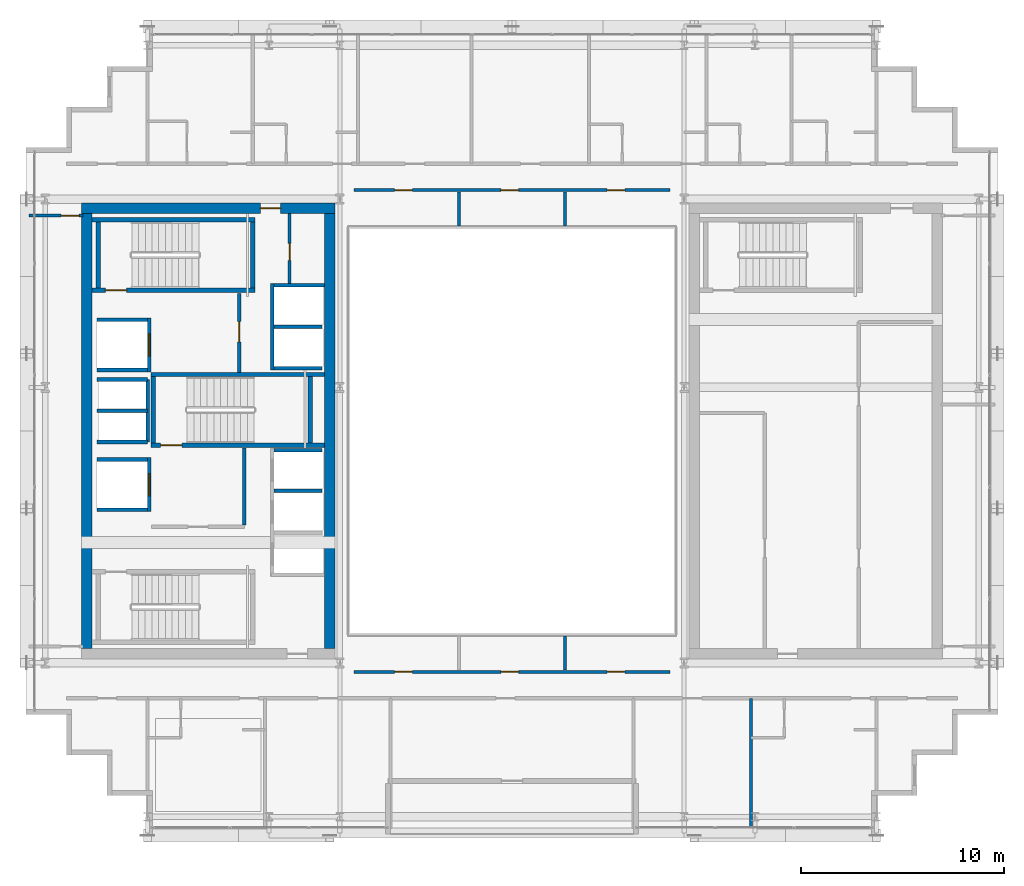
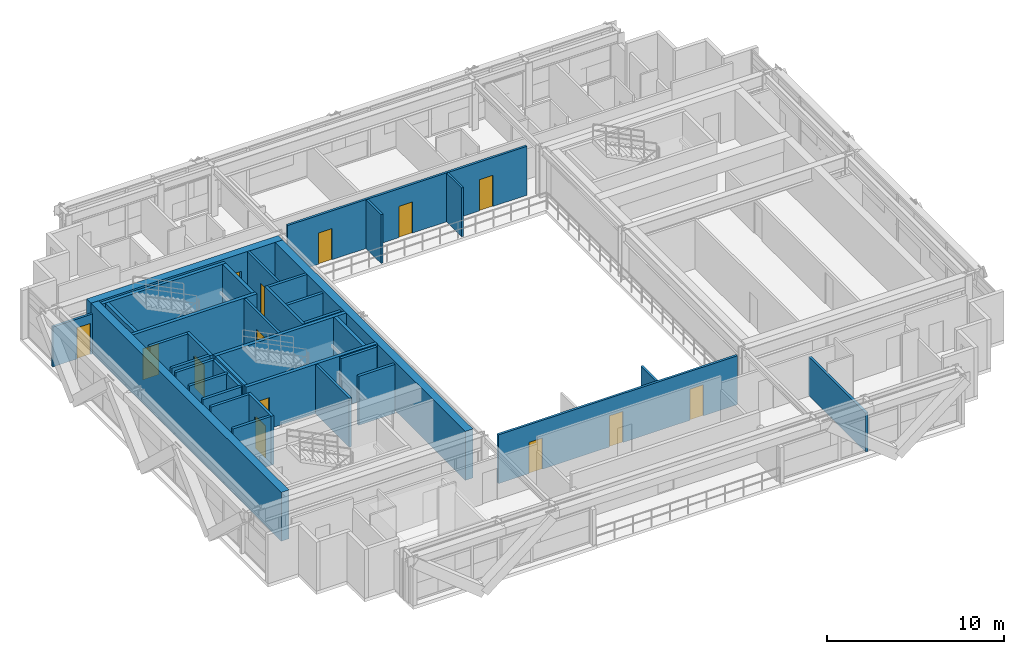
# One storey, part 25 of 32: 37 walls, 14 doors, 14 openings.
"""IFC4 building model written with IfcOpenShell, lengths in metres."""

from ifc_helpers import new_model, si_unit, direction, frame, frame_2d, origin, place, context, subcontext, project, spatial, rectangle, extrude, source, transform, mapped, material, layer, layer_set, type_object, element, fill, save


model = new_model("IFC4")

# Units and contexts
model_context = context("Model", 3, precision=1e-05, world=origin(), true_north=direction((0.0, 1.0)))
body_context = subcontext(model_context, "Body", "Model", "MODEL_VIEW")
ifc_project = project(units=[si_unit("LENGTHUNIT", "METRE"), si_unit("AREAUNIT", "SQUARE_METRE"), si_unit("VOLUMEUNIT", "CUBIC_METRE"), si_unit("PLANEANGLEUNIT", "RADIAN"), si_unit("MASSUNIT", "GRAM", prefix="KILO")], contexts=[model_context])

# Site, building, storey
site_placement = place(None, origin())
site = spatial("IfcSite", under=ifc_project, at=site_placement, CompositionType="ELEMENT")
building_placement = place(site_placement, origin())
building = spatial("IfcBuilding", under=site, at=building_placement, Name="Ocotamira Hotel", CompositionType="ELEMENT")
storey_placement = place(building_placement, frame((0.0, 0.0, 184.800048828125)))
storey = spatial("IfcBuildingStorey", under=building, at=storey_placement, Name="L46", CompositionType="ELEMENT", Elevation=184.800048828125)

# Wall, opening, door
ifc_material_1 = material(Name="Concrete C50/60", Category="concrete")
ifc_layer_1 = layer(ifc_material_1, 0.5)
ifc_layer_set_1 = layer_set([ifc_layer_1], Name="Concrete C50/60")
wall_type_1 = type_object("IfcWallType", Name="WL-CORE-500", PredefinedType="SHEAR", material=ifc_layer_set_1)
wall_1_placement = place(storey_placement, frame((10.75, 37.0, 0.0), z_axis=(0.0, 0.0, 1.0), x_axis=(1.0, 0.0, 0.0)))
wall_1 = element("IfcWall", 1, at=wall_1_placement, inside=storey, type_object=wall_type_1, Name="L46 Shear Core Wall WCORE-N", PredefinedType="SHEAR", context=body_context, shape_type="SweptSolid", body=[
    extrude(rectangle(XDim=12.5, YDim=0.5, at=frame_2d((6.25, 0.0))), origin(), (0.0, 0.0, 1.0), 3.369873046875),
])
opening_1_placement = place(wall_1_placement, frame((8.830078125, 0.0, 0.0)))
opening_1 = element("IfcOpeningElement", 2, at=opening_1_placement, cuts=wall_1, Name="Opening D-FR2", PredefinedType="OPENING", context=body_context, shape_type="SweptSolid", body=[
    extrude(rectangle(XDim=1.0, YDim=2.14990234375, at=frame_2d((0.5, 1.074951171875))), frame((0.0, 0.260009765625, 0.0), z_axis=(0.0, -1.0, 0.0), x_axis=(1.0, 0.0, 0.0)), (0.0, 0.0, 1.0), 0.52001953125),
])
ifc_material_2 = material(Name="Fire-rated acoustic timber-veneer door", Category="wood")
door_type_1 = type_object("IfcDoorType", Name="DR-FIRE-1000", OperationType="NOTDEFINED", PredefinedType="DOOR", material=ifc_material_2)
shared_shape_1 = source(origin(), body_context, "Body", "SweptSolid", [
    extrude(rectangle(XDim=1.0, YDim=2.14990234375, at=frame_2d((0.5, 1.074951171875))), frame((0.0, 0.02490234375, 0.0), z_axis=(0.0, -1.0, 0.0), x_axis=(1.0, 0.0, 0.0)), (0.0, 0.0, 1.0), 0.050048828125),
])
door_1_placement = place(opening_1_placement, origin())
door_1 = element("IfcDoor", 3, at=door_1_placement, inside=storey, type_object=door_type_1, Name="L46 Door ID-L46-WLOB-N-D [ID-L46-WLOB-N-D]", OperationType="SINGLE_SWING_RIGHT", OverallHeight=2.14990234375, OverallWidth=1.0, PredefinedType="DOOR", context=body_context, shape_type="MappedRepresentation", body=[
    mapped(shared_shape_1, transform((0.0, 0.0, 0.0), scale=1.0)),
])
fill(opening_1, door_1)

# Walls
for number, where, z_axis, x_axis, name in (
    (4, (11.0, 15.25, 0.0), (0.0, 0.0, 1.0), (0.0, 1.0, 0.0), "L46 Shear Core Wall WCORE-W"),
    (5, (23.0, 15.25, 0.0), (0.0, 0.0, 1.0), (0.0, 1.0, 0.0), "L46 Shear Core Wall WCORE-E"),
):
    element("IfcWall", number, at=place(storey_placement, frame(where, z_axis=z_axis, x_axis=x_axis)), inside=storey, type_object=wall_type_1, Name=name, PredefinedType="SHEAR", context=body_context, shape_type="SweptSolid", body=[
        extrude(rectangle(XDim=21.5, YDim=0.5, at=frame_2d((10.75, 0.0))), origin(), (0.0, 0.0, 1.0), 3.369873046875),
    ])
ifc_material_3 = material(Name="Acoustic double-layer fire gypsum board partition", Category="gypsum")
ifc_layer_2 = layer(ifc_material_3, 0.159912109375)
ifc_layer_set_2 = layer_set([ifc_layer_2], Name="Acoustic double-layer fire gypsum board partition")
wall_type_2 = type_object("IfcWallType", Name="WL-FIRE-160", PredefinedType="PARTITIONING", material=ifc_layer_set_2)
wall_2_placement = place(storey_placement, frame((18.780029296875, 21.35009765625, 0.0), z_axis=(0.0, 0.0, 1.0), x_axis=(0.0, 1.0, 0.0)))
element("IfcWall", 6, at=wall_2_placement, inside=storey, type_object=wall_type_2, Name="L46 Interior Wall PW-L46-FSAE1-E", PredefinedType="PARTITIONING", context=body_context, shape_type="SweptSolid", body=[
    extrude(rectangle(XDim=3.809814453125, YDim=0.159912109375, at=frame_2d((1.90478515625, 0.0))), origin(), (0.0, 0.0, 1.0), 3.369873046875),
])

# Wall, opening, door
wall_3_placement = place(storey_placement, frame((18.530029296875, 28.89990234375, 0.0), z_axis=(0.0, 0.0, 1.0), x_axis=(0.0, 1.0, 0.0)))
wall_3 = element("IfcWall", 7, at=wall_3_placement, inside=storey, type_object=wall_type_2, Name="L46 Interior Wall PW-L46-FSAE2-E", PredefinedType="PARTITIONING", context=body_context, shape_type="SweptSolid", body=[
    extrude(rectangle(XDim=3.900146484375, YDim=0.159912109375, at=frame_2d((1.9501953125, 0.0))), origin(), (0.0, 0.0, 1.0), 3.369873046875),
])
opening_2_placement = place(wall_3_placement, frame((1.5, 0.0, 0.0)))
opening_2 = element("IfcOpeningElement", 8, at=opening_2_placement, cuts=wall_3, Name="Opening D-FR2", PredefinedType="OPENING", context=body_context, shape_type="SweptSolid", body=[
    extrude(rectangle(XDim=1.0, YDim=2.14990234375, at=frame_2d((0.5, 1.074951171875))), frame((0.0, 0.08984375, 0.0), z_axis=(0.0, -1.0, 0.0), x_axis=(1.0, 0.0, 0.0)), (0.0, 0.0, 1.0), 0.179931640625),
])
door_2_placement = place(opening_2_placement, origin())
door_2 = element("IfcDoor", 9, at=door_2_placement, inside=storey, type_object=door_type_1, Name="L46 Door ID-L46-FSAE2-D [ID-L46-FSAE2-D]", OperationType="SINGLE_SWING_RIGHT", OverallHeight=2.14990234375, OverallWidth=1.0, PredefinedType="DOOR", context=body_context, shape_type="MappedRepresentation", body=[
    mapped(shared_shape_1, transform((0.0, 0.0, 0.0), scale=1.0)),
])
fill(opening_2, door_2)

ifc_material_4 = material(Name="Acoustic hospitality gypsum board partition", Category="gypsum")
ifc_layer_3 = layer(ifc_material_4, 0.14208984375)
ifc_layer_set_3 = layer_set([ifc_layer_3], Name="Acoustic hospitality gypsum board partition")
wall_type_3 = type_object("IfcWallType", Name="WL-PART-142", PredefinedType="PARTITIONING", material=ifc_layer_set_3)
wall_4_placement = place(storey_placement, frame((21.02001953125, 33.280029296875, 0.0), z_axis=(0.0, 0.0, 1.0), x_axis=(0.0, 1.0, 0.0)))
wall_4 = element("IfcWall", 10, at=wall_4_placement, inside=storey, type_object=wall_type_3, Name="L46 Interior Wall PW-L46-WC-NE-W", PredefinedType="PARTITIONING", context=body_context, shape_type="SweptSolid", body=[
    extrude(rectangle(XDim=3.469970703125, YDim=0.14208984375, at=frame_2d((1.73486328125, 0.0))), origin(), (0.0, 0.0, 1.0), 3.369873046875),
])
opening_3_placement = place(wall_4_placement, frame((1.14990234375, 0.0, 0.0)))
opening_3 = element("IfcOpeningElement", 11, at=opening_3_placement, cuts=wall_4, Name="Opening D-SV1", PredefinedType="OPENING", context=body_context, shape_type="SweptSolid", body=[
    extrude(rectangle(XDim=0.840087890625, YDim=2.10009765625, at=frame_2d((0.419921875, 1.050048828125))), frame((0.0, 0.0810546875, 0.0), z_axis=(0.0, -1.0, 0.0), x_axis=(1.0, 0.0, 0.0)), (0.0, 0.0, 1.0), 0.162109375),
])
ifc_material_5 = material(Name="Fire-rated painted steel service door", Category="steel")
door_type_2 = type_object("IfcDoorType", Name="DR-SERV-840", OperationType="NOTDEFINED", PredefinedType="DOOR", material=ifc_material_5)
shared_shape_2 = source(origin(), body_context, "Body", "SweptSolid", [
    extrude(rectangle(XDim=0.840087890625, YDim=2.10009765625, at=frame_2d((0.419921875, 1.050048828125))), frame((0.0, 0.02490234375, 0.0), z_axis=(0.0, -1.0, 0.0), x_axis=(1.0, 0.0, 0.0)), (0.0, 0.0, 1.0), 0.050048828125),
])
door_3_placement = place(opening_3_placement, origin())
door_3 = element("IfcDoor", 12, at=door_3_placement, inside=storey, type_object=door_type_2, Name="L46 Door ID-L46-WC-NE-D [ID-L46-WC-NE-D]", OperationType="SINGLE_SWING_LEFT", OverallHeight=2.10009765625, OverallWidth=0.840087890625, PredefinedType="DOOR", context=body_context, shape_type="MappedRepresentation", body=[
    mapped(shared_shape_2, transform((0.0, 0.0, 0.0), scale=1.0)),
])
fill(opening_3, door_3)

# Walls
for number, where, z_axis, x_axis, name in (
    (13, (29.375, 36.1201171875, 0.0), (0.0, 0.0, 1.0), (0.0, 1.0, 0.0), "L46 Interior Wall PW-L46-Z3C-ANDV1"),
    (14, (34.625, 14.199951171875, 0.0), (0.0, 0.0, 1.0), (0.0, 1.0, 0.0), "L46 Interior Wall PW-L46-Z3C-ASDV2"),
    (15, (34.625, 36.1201171875, 0.0), (0.0, 0.0, 1.0), (0.0, 1.0, 0.0), "L46 Interior Wall PW-L46-Z3C-ANDV2"),
):
    element("IfcWall", number, at=place(storey_placement, frame(where, z_axis=z_axis, x_axis=x_axis)), inside=storey, type_object=wall_type_3, Name=name, PredefinedType="PARTITIONING", context=body_context, shape_type="SweptSolid", body=[
        extrude(rectangle(XDim=1.679931640625, YDim=0.14208984375, at=frame_2d((0.83984375, 0.0))), origin(), (0.0, 0.0, 1.0), 3.369873046875),
    ])

# Wall, openings, doors
ifc_layer_4 = layer(ifc_material_4, 0.14990234375)
ifc_layer_set_4 = layer_set([ifc_layer_4], Name="Acoustic hospitality gypsum board partition")
wall_type_4 = type_object("IfcWallType", Name="WL-PART-150", PredefinedType="PARTITIONING", material=ifc_layer_set_4)
wall_5_placement = place(storey_placement, frame((24.199951171875, 14.10009765625, 0.0), z_axis=(0.0, 0.0, 1.0), x_axis=(1.0, 0.0, 0.0)))
wall_5 = element("IfcWall", 16, at=wall_5_placement, inside=storey, type_object=wall_type_4, Name="L46 Interior Wall PW-L46-Z3C-ATRSW", PredefinedType="PARTITIONING", context=body_context, shape_type="SweptSolid", body=[
    extrude(rectangle(XDim=15.60009765625, YDim=0.14990234375, at=frame_2d((7.800048828125, 0.0))), origin(), (0.0, 0.0, 1.0), 3.369873046875),
])
opening_4_placement = place(wall_5_placement, frame((2.0, 0.0, 0.0)))
opening_4 = element("IfcOpeningElement", 17, at=opening_4_placement, cuts=wall_5, Name="Opening D-SV2", PredefinedType="OPENING", context=body_context, shape_type="SweptSolid", body=[
    extrude(rectangle(XDim=0.8798828125, YDim=2.14990234375, at=frame_2d((0.43994140625, 1.074951171875))), frame((0.0, 0.0849609375, 0.0), z_axis=(0.0, -1.0, 0.0), x_axis=(1.0, 0.0, 0.0)), (0.0, 0.0, 1.0), 0.169921875),
])
opening_5_placement = place(wall_5_placement, frame((7.25, 0.0, 0.0)))
opening_5 = element("IfcOpeningElement", 18, at=opening_5_placement, cuts=wall_5, Name="Opening D-SV2", PredefinedType="OPENING", context=body_context, shape_type="SweptSolid", body=[
    extrude(rectangle(XDim=0.8798828125, YDim=2.14990234375, at=frame_2d((0.43994140625, 1.074951171875))), frame((0.0, 0.0849609375, 0.0), z_axis=(0.0, -1.0, 0.0), x_axis=(1.0, 0.0, 0.0)), (0.0, 0.0, 1.0), 0.169921875),
])
opening_6_placement = place(wall_5_placement, frame((12.5, 0.0, 0.0)))
opening_6 = element("IfcOpeningElement", 19, at=opening_6_placement, cuts=wall_5, Name="Opening D-SV2", PredefinedType="OPENING", context=body_context, shape_type="SweptSolid", body=[
    extrude(rectangle(XDim=0.8798828125, YDim=2.14990234375, at=frame_2d((0.43994140625, 1.074951171875))), frame((0.0, 0.0849609375, 0.0), z_axis=(0.0, -1.0, 0.0), x_axis=(1.0, 0.0, 0.0)), (0.0, 0.0, 1.0), 0.169921875),
])
door_type_3 = type_object("IfcDoorType", Name="DR-SERV-880", OperationType="NOTDEFINED", PredefinedType="DOOR", material=ifc_material_5)
shared_shape_3 = source(origin(), body_context, "Body", "SweptSolid", [
    extrude(rectangle(XDim=0.8798828125, YDim=2.14990234375, at=frame_2d((0.43994140625, 1.074951171875))), frame((0.0, 0.02490234375, 0.0), z_axis=(0.0, -1.0, 0.0), x_axis=(1.0, 0.0, 0.0)), (0.0, 0.0, 1.0), 0.050048828125),
])
door_4_placement = place(opening_4_placement, origin())
door_4 = element("IfcDoor", 20, at=door_4_placement, inside=storey, type_object=door_type_3, Name="L46 Door ID-L46-Z3C-ASDD1 [ID-L46-Z3C-ASDD1]", OperationType="SINGLE_SWING_LEFT", OverallHeight=2.14990234375, OverallWidth=0.8798828125, PredefinedType="DOOR", context=body_context, shape_type="MappedRepresentation", body=[
    mapped(shared_shape_3, transform((0.0, 0.0, 0.0), scale=1.0)),
])
fill(opening_4, door_4)
door_5_placement = place(opening_5_placement, origin())
door_5 = element("IfcDoor", 21, at=door_5_placement, inside=storey, type_object=door_type_3, Name="L46 Door ID-L46-Z3C-ASDD2 [ID-L46-Z3C-ASDD2]", OperationType="SINGLE_SWING_LEFT", OverallHeight=2.14990234375, OverallWidth=0.8798828125, PredefinedType="DOOR", context=body_context, shape_type="MappedRepresentation", body=[
    mapped(shared_shape_3, transform((0.0, 0.0, 0.0), scale=1.0)),
])
fill(opening_5, door_5)
door_6_placement = place(opening_6_placement, origin())
door_6 = element("IfcDoor", 22, at=door_6_placement, inside=storey, type_object=door_type_3, Name="L46 Door ID-L46-Z3C-ASDD3 [ID-L46-Z3C-ASDD3]", OperationType="SINGLE_SWING_LEFT", OverallHeight=2.14990234375, OverallWidth=0.8798828125, PredefinedType="DOOR", context=body_context, shape_type="MappedRepresentation", body=[
    mapped(shared_shape_3, transform((0.0, 0.0, 0.0), scale=1.0)),
])
fill(opening_6, door_6)

wall_6_placement = place(storey_placement, frame((24.199951171875, 37.89990234375, 0.0), z_axis=(0.0, 0.0, 1.0), x_axis=(1.0, 0.0, 0.0)))
wall_6 = element("IfcWall", 23, at=wall_6_placement, inside=storey, type_object=wall_type_4, Name="L46 Interior Wall PW-L46-Z3C-ATRNW", PredefinedType="PARTITIONING", context=body_context, shape_type="SweptSolid", body=[
    extrude(rectangle(XDim=15.60009765625, YDim=0.14990234375, at=frame_2d((7.800048828125, 0.0))), origin(), (0.0, 0.0, 1.0), 3.369873046875),
])
opening_7_placement = place(wall_6_placement, frame((2.0, 0.0, 0.0)))
opening_7 = element("IfcOpeningElement", 24, at=opening_7_placement, cuts=wall_6, Name="Opening D-SV2", PredefinedType="OPENING", context=body_context, shape_type="SweptSolid", body=[
    extrude(rectangle(XDim=0.8798828125, YDim=2.14990234375, at=frame_2d((0.43994140625, 1.074951171875))), frame((0.0, 0.0849609375, 0.0), z_axis=(0.0, -1.0, 0.0), x_axis=(1.0, 0.0, 0.0)), (0.0, 0.0, 1.0), 0.169921875),
])
opening_8_placement = place(wall_6_placement, frame((7.25, 0.0, 0.0)))
opening_8 = element("IfcOpeningElement", 25, at=opening_8_placement, cuts=wall_6, Name="Opening D-SV2", PredefinedType="OPENING", context=body_context, shape_type="SweptSolid", body=[
    extrude(rectangle(XDim=0.8798828125, YDim=2.14990234375, at=frame_2d((0.43994140625, 1.074951171875))), frame((0.0, 0.0849609375, 0.0), z_axis=(0.0, -1.0, 0.0), x_axis=(1.0, 0.0, 0.0)), (0.0, 0.0, 1.0), 0.169921875),
])
opening_9_placement = place(wall_6_placement, frame((12.5, 0.0, 0.0)))
opening_9 = element("IfcOpeningElement", 26, at=opening_9_placement, cuts=wall_6, Name="Opening D-SV2", PredefinedType="OPENING", context=body_context, shape_type="SweptSolid", body=[
    extrude(rectangle(XDim=0.8798828125, YDim=2.14990234375, at=frame_2d((0.43994140625, 1.074951171875))), frame((0.0, 0.0849609375, 0.0), z_axis=(0.0, -1.0, 0.0), x_axis=(1.0, 0.0, 0.0)), (0.0, 0.0, 1.0), 0.169921875),
])
door_7_placement = place(opening_7_placement, origin())
door_7 = element("IfcDoor", 27, at=door_7_placement, inside=storey, type_object=door_type_3, Name="L46 Door ID-L46-Z3C-ANDD1 [ID-L46-Z3C-ANDD1]", OperationType="SINGLE_SWING_RIGHT", OverallHeight=2.14990234375, OverallWidth=0.8798828125, PredefinedType="DOOR", context=body_context, shape_type="MappedRepresentation", body=[
    mapped(shared_shape_3, transform((0.0, 0.0, 0.0), scale=1.0)),
])
fill(opening_7, door_7)
door_8_placement = place(opening_8_placement, origin())
door_8 = element("IfcDoor", 28, at=door_8_placement, inside=storey, type_object=door_type_3, Name="L46 Door ID-L46-Z3C-ANDD2 [ID-L46-Z3C-ANDD2]", OperationType="SINGLE_SWING_RIGHT", OverallHeight=2.14990234375, OverallWidth=0.8798828125, PredefinedType="DOOR", context=body_context, shape_type="MappedRepresentation", body=[
    mapped(shared_shape_3, transform((0.0, 0.0, 0.0), scale=1.0)),
])
fill(opening_8, door_8)
door_9_placement = place(opening_9_placement, origin())
door_9 = element("IfcDoor", 29, at=door_9_placement, inside=storey, type_object=door_type_3, Name="L46 Door ID-L46-Z3C-ANDD3 [ID-L46-Z3C-ANDD3]", OperationType="SINGLE_SWING_RIGHT", OverallHeight=2.14990234375, OverallWidth=0.8798828125, PredefinedType="DOOR", context=body_context, shape_type="MappedRepresentation", body=[
    mapped(shared_shape_3, transform((0.0, 0.0, 0.0), scale=1.0)),
])
fill(opening_9, door_9)

# Wall, opening, door
wall_7_placement = place(storey_placement, frame((8.159912109375, 36.639892578125, 0.0), z_axis=(0.0, 0.0, 1.0), x_axis=(1.0, 0.0, 0.0)))
wall_7 = element("IfcWall", 30, at=wall_7_placement, inside=storey, type_object=wall_type_4, Name="L46 Interior Wall PW-L46-Z3C-WF-WN", PredefinedType="PARTITIONING", context=body_context, shape_type="SweptSolid", body=[
    extrude(rectangle(XDim=2.66015625, YDim=0.14990234375, at=frame_2d((1.330078125, 0.0))), origin(), (0.0, 0.0, 1.0), 2.7529296875),
])
opening_10_placement = place(wall_7_placement, frame((1.580078125, 0.0, 0.0)))
opening_10 = element("IfcOpeningElement", 31, at=opening_10_placement, cuts=wall_7, Name="Opening D-SV2", PredefinedType="OPENING", context=body_context, shape_type="SweptSolid", body=[
    extrude(rectangle(XDim=0.8798828125, YDim=2.14990234375, at=frame_2d((0.43994140625, 1.074951171875))), frame((0.0, 0.0849609375, 0.0), z_axis=(0.0, -1.0, 0.0), x_axis=(1.0, 0.0, 0.0)), (0.0, 0.0, 1.0), 0.169921875),
])
door_10_placement = place(opening_10_placement, origin())
door_10 = element("IfcDoor", 32, at=door_10_placement, inside=storey, type_object=door_type_3, Name="L46 Door ID-L46-Z3C-WF-DN [ID-L46-Z3C-WF-DN]", OperationType="SINGLE_SWING_RIGHT", OverallHeight=2.14990234375, OverallWidth=0.8798828125, PredefinedType="DOOR", context=body_context, shape_type="MappedRepresentation", body=[
    mapped(shared_shape_3, transform((0.0, 0.0, 0.0), scale=1.0)),
])
fill(opening_10, door_10)

# Walls
ifc_material_6 = material(Name="Acoustic double-stud hospitality gypsum partition", Category="gypsum")
ifc_layer_5 = layer(ifc_material_6, 0.159912109375)
ifc_layer_set_5 = layer_set([ifc_layer_5], Name="Acoustic double-stud hospitality gypsum partition")
wall_type_5 = type_object("IfcWallType", Name="WL-PART-160", PredefinedType="PARTITIONING", material=ifc_layer_set_5)
wall_8_placement = place(storey_placement, frame((43.800048828125, 6.360107421875, 0.0), z_axis=(0.0, 0.0, 1.0), x_axis=(0.0, 1.0, 0.0)))
element("IfcWall", 33, at=wall_8_placement, inside=storey, type_object=wall_type_5, Name="L46 Interior Wall PW-L46-Z3CSE-PW1", PredefinedType="PARTITIONING", context=body_context, shape_type="SweptSolid", body=[
    extrude(rectangle(XDim=6.43994140625, YDim=0.159912109375, at=frame_2d((3.219970703125, 0.0))), origin(), (0.0, 0.0, 1.0), 2.677001953125),
])
ifc_material_7 = material(Name="Fire-rated gypsum shaftliner board assembly", Category="gypsum")
ifc_layer_6 = layer(ifc_material_7, 0.179931640625)
ifc_layer_set_6 = layer_set([ifc_layer_6], Name="Fire-rated gypsum shaftliner board assembly")
wall_type_6 = type_object("IfcWallType", Name="WL-SHAFT-180", PredefinedType="SOLIDWALL", material=ifc_layer_set_6)
for number, where, z_axis, x_axis, name in (
    (34, (20.25, 25.050048828125, 0.0), (0.0, 0.0, 1.0), (1.0, 0.0, 0.0), "L46 Interior Wall PW-L46-LFW-BANK-high-N"),
    (35, (20.25, 23.044921875, 0.0), (0.0, 0.0, 1.0), (1.0, 0.0, 0.0), "L46 Interior Wall PW-L46-LFW-DIV-LF-P8"),
):
    element("IfcWall", number, at=place(storey_placement, frame(where, z_axis=z_axis, x_axis=x_axis)), inside=storey, type_object=wall_type_6, Name=name, PredefinedType="SOLIDWALL", context=body_context, shape_type="SweptSolid", body=[
        extrude(rectangle(XDim=2.360107421875, YDim=0.179931640625, at=frame_2d((1.18017578125, 0.0))), origin(), (0.0, 0.0, 1.0), 3.369873046875),
    ])
wall_9_placement = place(storey_placement, frame((20.159912109375, 29.0, 0.0), z_axis=(0.0, 0.0, 1.0), x_axis=(0.0, 1.0, 0.0)))
element("IfcWall", 36, at=wall_9_placement, inside=storey, type_object=wall_type_6, Name="L46 Interior Wall PW-L46-LFW-BANK-obs-F", PredefinedType="SOLIDWALL", context=body_context, shape_type="SweptSolid", body=[
    extrude(rectangle(XDim=4.2900390625, YDim=0.179931640625, at=frame_2d((2.14501953125, 0.0))), origin(), (0.0, 0.0, 1.0), 3.369873046875),
])
wall_10_placement = place(storey_placement, frame((20.25, 29.090087890625, 0.0), z_axis=(0.0, 0.0, 1.0), x_axis=(1.0, 0.0, 0.0)))
element("IfcWall", 37, at=wall_10_placement, inside=storey, type_object=wall_type_6, Name="L46 Interior Wall PW-L46-LFW-BANK-obs-S", PredefinedType="SOLIDWALL", context=body_context, shape_type="SweptSolid", body=[
    extrude(rectangle(XDim=2.360107421875, YDim=0.179931640625, at=frame_2d((1.18017578125, 0.0))), origin(), (0.0, 0.0, 1.0), 3.369873046875),
])
wall_11_placement = place(storey_placement, frame((20.25, 33.199951171875, 0.0), z_axis=(0.0, 0.0, 1.0), x_axis=(1.0, 0.0, 0.0)))
element("IfcWall", 38, at=wall_11_placement, inside=storey, type_object=wall_type_6, Name="L46 Interior Wall PW-L46-LFW-BANK-obs-N", PredefinedType="SOLIDWALL", context=body_context, shape_type="SweptSolid", body=[
    extrude(rectangle(XDim=2.5, YDim=0.179931640625, at=frame_2d((1.25, 0.0))), origin(), (0.0, 0.0, 1.0), 3.369873046875),
])
wall_12_placement = place(storey_placement, frame((20.25, 31.14501953125, 0.0), z_axis=(0.0, 0.0, 1.0), x_axis=(1.0, 0.0, 0.0)))
element("IfcWall", 39, at=wall_12_placement, inside=storey, type_object=wall_type_6, Name="L46 Interior Wall PW-L46-LFW-DIV-LF-OBS1", PredefinedType="SOLIDWALL", context=body_context, shape_type="SweptSolid", body=[
    extrude(rectangle(XDim=2.360107421875, YDim=0.179931640625, at=frame_2d((1.18017578125, 0.0))), origin(), (0.0, 0.0, 1.0), 3.369873046875),
])
for number, where, z_axis, x_axis, name in (
    (40, (11.5, 22.110107421875, 0.0), (0.0, 0.0, 1.0), (1.0, 0.0, 0.0), "L46 Interior Wall PW-L46-LFW-LF-FSAE1-S"),
    (41, (11.5, 24.590087890625, 0.0), (0.0, 0.0, 1.0), (1.0, 0.0, 0.0), "L46 Interior Wall PW-L46-LFW-LF-FSAE1-N"),
):
    element("IfcWall", number, at=place(storey_placement, frame(where, z_axis=z_axis, x_axis=x_axis)), inside=storey, type_object=wall_type_6, Name=name, PredefinedType="SOLIDWALL", context=body_context, shape_type="SweptSolid", body=[
        extrude(rectangle(XDim=2.5, YDim=0.179931640625, at=frame_2d((1.25, 0.0))), origin(), (0.0, 0.0, 1.0), 3.369873046875),
    ])

# Wall, opening, door
wall_13_placement = place(storey_placement, frame((14.090087890625, 22.02001953125, 0.0), z_axis=(0.0, 0.0, 1.0), x_axis=(0.0, 1.0, 0.0)))
wall_13 = element("IfcWall", 42, at=wall_13_placement, inside=storey, type_object=wall_type_6, Name="L46 Interior Wall PW-L46-LFW-LF-FSAE1-E", PredefinedType="SOLIDWALL", context=body_context, shape_type="SweptSolid", body=[
    extrude(rectangle(XDim=2.659912109375, YDim=0.179931640625, at=frame_2d((1.330078125, 0.0))), origin(), (0.0, 0.0, 1.0), 3.369873046875),
])
opening_11_placement = place(wall_13_placement, frame((0.780029296875, 0.0, 0.0)))
opening_11 = element("IfcOpeningElement", 43, at=opening_11_placement, cuts=wall_13, Name="Opening LD-LF-FSAE1", PredefinedType="OPENING", context=body_context, shape_type="SweptSolid", body=[
    extrude(rectangle(XDim=1.10009765625, YDim=2.199951171875, at=frame_2d((0.550048828125, 1.10009765625))), frame((0.0, 0.10009765625, 0.0), z_axis=(0.0, -1.0, 0.0), x_axis=(1.0, 0.0, 0.0)), (0.0, 0.0, 1.0), 0.199951171875),
])
ifc_material_8 = material(Name="Brushed pale-metal stainless elevator landing door", Category="steel")
door_type_4 = type_object("IfcDoorType", Name="DR-LIFT-1100", OperationType="NOTDEFINED", PredefinedType="DOOR", material=ifc_material_8)
shared_shape_4 = source(origin(), body_context, "Body", "SweptSolid", [
    extrude(rectangle(XDim=1.10009765625, YDim=2.199951171875, at=frame_2d((0.550048828125, 1.10009765625))), frame((0.0, 0.02490234375, 0.0), z_axis=(0.0, -1.0, 0.0), x_axis=(1.0, 0.0, 0.0)), (0.0, 0.0, 1.0), 0.050048828125),
])
door_11_placement = place(opening_11_placement, origin())
door_11 = element("IfcDoor", 44, at=door_11_placement, inside=storey, type_object=door_type_4, Name="L46 Landing Door LD-LF-FSAE1 [ID-L46-LD-LF-FSAE1]", OperationType="DOUBLE_DOOR_SLIDING", OverallHeight=2.199951171875, OverallWidth=1.10009765625, PredefinedType="DOOR", context=body_context, shape_type="MappedRepresentation", body=[
    mapped(shared_shape_4, transform((0.0, 0.0, 0.0), scale=1.0)),
])
fill(opening_11, door_11)

# Walls
for number, where, z_axis, x_axis, name in (
    (45, (11.5, 29.010009765625, 0.0), (0.0, 0.0, 1.0), (1.0, 0.0, 0.0), "L46 Interior Wall PW-L46-LFW-LF-FSAE2-S"),
    (46, (11.5, 31.489990234375, 0.0), (0.0, 0.0, 1.0), (1.0, 0.0, 0.0), "L46 Interior Wall PW-L46-LFW-LF-FSAE2-N"),
):
    element("IfcWall", number, at=place(storey_placement, frame(where, z_axis=z_axis, x_axis=x_axis)), inside=storey, type_object=wall_type_6, Name=name, PredefinedType="SOLIDWALL", context=body_context, shape_type="SweptSolid", body=[
        extrude(rectangle(XDim=2.5, YDim=0.179931640625, at=frame_2d((1.25, 0.0))), origin(), (0.0, 0.0, 1.0), 3.369873046875),
    ])

# Wall, opening, door
wall_14_placement = place(storey_placement, frame((14.090087890625, 28.919921875, 0.0), z_axis=(0.0, 0.0, 1.0), x_axis=(0.0, 1.0, 0.0)))
wall_14 = element("IfcWall", 47, at=wall_14_placement, inside=storey, type_object=wall_type_6, Name="L46 Interior Wall PW-L46-LFW-LF-FSAE2-E", PredefinedType="SOLIDWALL", context=body_context, shape_type="SweptSolid", body=[
    extrude(rectangle(XDim=2.66015625, YDim=0.179931640625, at=frame_2d((1.330078125, 0.0))), origin(), (0.0, 0.0, 1.0), 3.369873046875),
])
opening_12_placement = place(wall_14_placement, frame((0.780029296875, 0.0, 0.0)))
opening_12 = element("IfcOpeningElement", 48, at=opening_12_placement, cuts=wall_14, Name="Opening LD-LF-FSAE2", PredefinedType="OPENING", context=body_context, shape_type="SweptSolid", body=[
    extrude(rectangle(XDim=1.10009765625, YDim=2.199951171875, at=frame_2d((0.550048828125, 1.10009765625))), frame((0.0, 0.10009765625, 0.0), z_axis=(0.0, -1.0, 0.0), x_axis=(1.0, 0.0, 0.0)), (0.0, 0.0, 1.0), 0.199951171875),
])
door_12_placement = place(opening_12_placement, origin())
door_12 = element("IfcDoor", 49, at=door_12_placement, inside=storey, type_object=door_type_4, Name="L46 Landing Door LD-LF-FSAE2 [ID-L46-LD-LF-FSAE2]", OperationType="DOUBLE_DOOR_SLIDING", OverallHeight=2.199951171875, OverallWidth=1.10009765625, PredefinedType="DOOR", context=body_context, shape_type="MappedRepresentation", body=[
    mapped(shared_shape_4, transform((0.0, 0.0, 0.0), scale=1.0)),
])
fill(opening_12, door_12)

# Walls
for number, where, z_axis, x_axis, name in (
    (50, (11.5, 25.4599609375, 0.0), (0.0, 0.0, 1.0), (1.0, 0.0, 0.0), "L46 Interior Wall PW-L46-RSW-S"),
    (51, (11.5, 27.0, 0.0), (0.0, 0.0, 1.0), (1.0, 0.0, 0.0), "L46 Interior Wall PW-L46-RSW-MID"),
    (52, (11.5, 28.5400390625, 0.0), (0.0, 0.0, 1.0), (1.0, 0.0, 0.0), "L46 Interior Wall PW-L46-RSW-N"),
):
    element("IfcWall", number, at=place(storey_placement, frame(where, z_axis=z_axis, x_axis=x_axis)), inside=storey, type_object=wall_type_6, Name=name, PredefinedType="SOLIDWALL", context=body_context, shape_type="SweptSolid", body=[
        extrude(rectangle(XDim=2.510009765625, YDim=0.179931640625, at=frame_2d((1.2548828125, 0.0))), origin(), (0.0, 0.0, 1.0), 3.369873046875),
    ])
wall_15_placement = place(storey_placement, frame((14.010009765625, 25.4599609375, 0.0), z_axis=(0.0, 0.0, 1.0), x_axis=(0.0, 1.0, 0.0)))
element("IfcWall", 53, at=wall_15_placement, inside=storey, type_object=wall_type_6, Name="L46 Interior Wall PW-L46-RSW-E", PredefinedType="SOLIDWALL", context=body_context, shape_type="SweptSolid", body=[
    extrude(rectangle(XDim=3.080078125, YDim=0.179931640625, at=frame_2d((1.5400390625, 0.0))), origin(), (0.0, 0.0, 1.0), 3.369873046875),
])

# Wall, opening, door
ifc_layer_7 = layer(ifc_material_1, 0.219970703125)
ifc_layer_set_7 = layer_set([ifc_layer_7], Name="Concrete C50/60")
wall_type_7 = type_object("IfcWallType", Name="WL-STAIR-220", PredefinedType="SHEAR", material=ifc_layer_set_7)
wall_16_placement = place(storey_placement, frame((11.25, 32.93994140625, 0.0), z_axis=(0.0, 0.0, 1.0), x_axis=(1.0, 0.0, 0.0)))
wall_16 = element("IfcWall", 54, at=wall_16_placement, inside=storey, type_object=wall_type_7, Name="L46 Stair Shaft Structural Wall ST-2-S", PredefinedType="SHEAR", context=body_context, shape_type="SweptSolid", body=[
    extrude(rectangle(XDim=8.06005859375, YDim=0.219970703125, at=frame_2d((4.030029296875, 0.0))), origin(), (0.0, 0.0, 1.0), 3.39990234375),
])
opening_13_placement = place(wall_16_placement, frame((0.669921875, 0.0, 0.0)))
opening_13 = element("IfcOpeningElement", 55, at=opening_13_placement, cuts=wall_16, Name="Opening D-ST2", PredefinedType="OPENING", context=body_context, shape_type="SweptSolid", body=[
    extrude(rectangle(XDim=1.050048828125, YDim=2.14990234375, at=frame_2d((0.52490234375, 1.074951171875))), frame((0.0, 0.1201171875, 0.0), z_axis=(0.0, -1.0, 0.0), x_axis=(1.0, 0.0, 0.0)), (0.0, 0.0, 1.0), 0.239990234375),
])
ifc_material_9 = material(Name="Insulated painted hollow-metal fire exit door", Category="steel")
door_type_5 = type_object("IfcDoorType", Name="DR-STAIR-1050", OperationType="NOTDEFINED", PredefinedType="DOOR", material=ifc_material_9)
shared_shape_5 = source(origin(), body_context, "Body", "SweptSolid", [
    extrude(rectangle(XDim=1.050048828125, YDim=2.14990234375, at=frame_2d((0.52490234375, 1.074951171875))), frame((0.0, 0.02490234375, 0.0), z_axis=(0.0, -1.0, 0.0), x_axis=(1.0, 0.0, 0.0)), (0.0, 0.0, 1.0), 0.050048828125),
])
door_13_placement = place(opening_13_placement, origin())
door_13 = element("IfcDoor", 56, at=door_13_placement, inside=storey, type_object=door_type_5, Name="L46 Door ID-L46-STD-ST-2 [ID-L46-STD-ST-2]", OperationType="SINGLE_SWING_RIGHT", OverallHeight=2.14990234375, OverallWidth=1.050048828125, PredefinedType="DOOR", context=body_context, shape_type="MappedRepresentation", body=[
    mapped(shared_shape_5, transform((0.0, 0.0, 0.0), scale=1.0)),
])
fill(opening_13, door_13)

# Walls
wall_17_placement = place(storey_placement, frame((11.25, 36.43994140625, 0.0), z_axis=(0.0, 0.0, 1.0), x_axis=(1.0, 0.0, 0.0)))
element("IfcWall", 57, at=wall_17_placement, inside=storey, type_object=wall_type_7, Name="L46 Stair Shaft Structural Wall ST-2-N", PredefinedType="SHEAR", context=body_context, shape_type="SweptSolid", body=[
    extrude(rectangle(XDim=8.06005859375, YDim=0.219970703125, at=frame_2d((4.030029296875, 0.0))), origin(), (0.0, 0.0, 1.0), 3.39990234375),
])
for number, where, z_axis, x_axis, name in (
    (58, (11.56005859375, 33.050048828125, 0.0), (0.0, 0.0, 1.0), (0.0, 1.0, 0.0), "L46 Stair Shaft Structural Wall ST-2-W"),
    (59, (19.199951171875, 33.050048828125, 0.0), (0.0, 0.0, 1.0), (0.0, 1.0, 0.0), "L46 Stair Shaft Structural Wall ST-2-E"),
):
    element("IfcWall", number, at=place(storey_placement, frame(where, z_axis=z_axis, x_axis=x_axis)), inside=storey, type_object=wall_type_7, Name=name, PredefinedType="SHEAR", context=body_context, shape_type="SweptSolid", body=[
        extrude(rectangle(XDim=3.280029296875, YDim=0.219970703125, at=frame_2d((1.64013671875, 0.0))), origin(), (0.0, 0.0, 1.0), 3.39990234375),
    ])

# Wall, opening, door
wall_18_placement = place(storey_placement, frame((14.179931640625, 25.2900390625, 0.0), z_axis=(0.0, 0.0, 1.0), x_axis=(1.0, 0.0, 0.0)))
wall_18 = element("IfcWall", 60, at=wall_18_placement, inside=storey, type_object=wall_type_7, Name="L46 Stair Shaft Structural Wall ST-3-S", PredefinedType="SHEAR", context=body_context, shape_type="SweptSolid", body=[
    extrude(rectangle(XDim=8.570068359375, YDim=0.219970703125, at=frame_2d((4.28515625, 0.0))), origin(), (0.0, 0.0, 1.0), 3.39990234375),
])
opening_14_placement = place(wall_18_placement, frame((0.469970703125, 0.0, 0.0)))
opening_14 = element("IfcOpeningElement", 61, at=opening_14_placement, cuts=wall_18, Name="Opening D-ST2", PredefinedType="OPENING", context=body_context, shape_type="SweptSolid", body=[
    extrude(rectangle(XDim=1.050048828125, YDim=2.14990234375, at=frame_2d((0.52490234375, 1.074951171875))), frame((0.0, 0.1201171875, 0.0), z_axis=(0.0, -1.0, 0.0), x_axis=(1.0, 0.0, 0.0)), (0.0, 0.0, 1.0), 0.239990234375),
])
door_14_placement = place(opening_14_placement, origin())
door_14 = element("IfcDoor", 62, at=door_14_placement, inside=storey, type_object=door_type_5, Name="L46 Door ID-L46-STD-ST-3 [ID-L46-STD-ST-3]", OperationType="SINGLE_SWING_LEFT", OverallHeight=2.14990234375, OverallWidth=1.050048828125, PredefinedType="DOOR", context=body_context, shape_type="MappedRepresentation", body=[
    mapped(shared_shape_5, transform((0.0, 0.0, 0.0), scale=1.0)),
])
fill(opening_14, door_14)

# Walls
wall_19_placement = place(storey_placement, frame((14.179931640625, 28.7900390625, 0.0), z_axis=(0.0, 0.0, 1.0), x_axis=(1.0, 0.0, 0.0)))
element("IfcWall", 63, at=wall_19_placement, inside=storey, type_object=wall_type_7, Name="L46 Stair Shaft Structural Wall ST-3-N", PredefinedType="SHEAR", context=body_context, shape_type="SweptSolid", body=[
    extrude(rectangle(XDim=8.570068359375, YDim=0.219970703125, at=frame_2d((4.28515625, 0.0))), origin(), (0.0, 0.0, 1.0), 3.39990234375),
])
for number, where, z_axis, x_axis, name in (
    (64, (14.2900390625, 25.39990234375, 0.0), (0.0, 0.0, 1.0), (0.0, 1.0, 0.0), "L46 Stair Shaft Structural Wall ST-3-W"),
    (65, (22.030029296875, 25.39990234375, 0.0), (0.0, 0.0, 1.0), (0.0, 1.0, 0.0), "L46 Stair Shaft Structural Wall ST-3-E"),
):
    element("IfcWall", number, at=place(storey_placement, frame(where, z_axis=z_axis, x_axis=x_axis)), inside=storey, type_object=wall_type_7, Name=name, PredefinedType="SHEAR", context=body_context, shape_type="SweptSolid", body=[
        extrude(rectangle(XDim=3.280029296875, YDim=0.219970703125, at=frame_2d((1.64013671875, 0.0))), origin(), (0.0, 0.0, 1.0), 3.39990234375),
    ])

save(model, "model.ifc")
